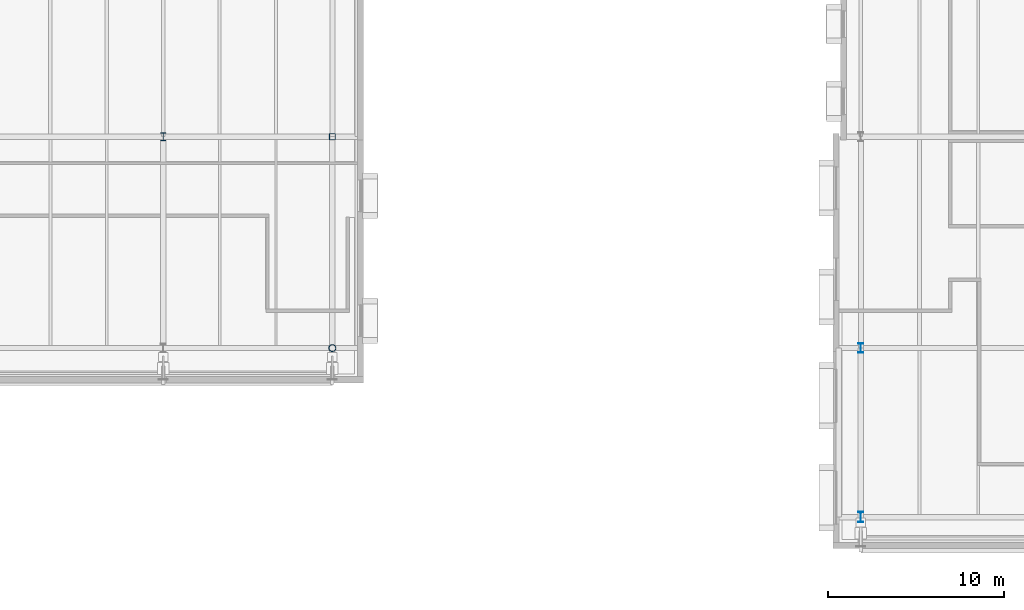
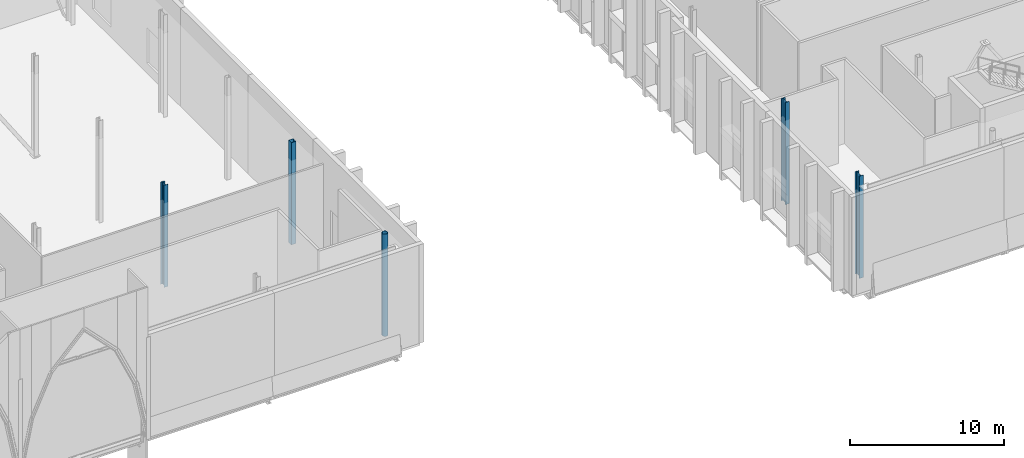
# One storey, part 8 of 79: 5 columns.
"""IFC4 building model written with IfcOpenShell, lengths in metres."""

import ifcopenshell
import ifcopenshell.guid

model = None  # the IFC model being written
_history = None  # IfcOwnerHistory: only IFC2X3 demands one
_inside = {}  # id of a spatial element -> (the spatial element, [elements in it])
_under = {}  # id of a project, library or spatial element -> (it, [spatial elements below it])
_declared = {}  # id of a project -> (the project, [libraries it declares])
_typed = {}  # id of a type object -> (the type object, [elements of that type])
_made_of = {}  # id of a material, layer set ... -> (it, [elements and type objects made of it])


def new_model(schema):
    """Start an empty IFC model of exactly this schema.

    Asked for "IFC4X3", IfcOpenShell would pick the latest addendum, in which some entities
    have other attributes; the version numbers below select the first issue.
    IFC2X3 requires an IfcOwnerHistory on every rooted entity: one is made here for all.
    """
    global model, _history
    if schema == "IFC4X3":
        model = ifcopenshell.file(schema_version=(4, 3, 0, 0))
    else:
        model = ifcopenshell.file(schema=schema)
    _inside.clear()
    _under.clear()
    _declared.clear()
    _typed.clear()
    _made_of.clear()
    _history = None
    if model.schema == "IFC2X3":
        org = make("IfcOrganization", Name="unknown")
        user = make(
            "IfcPersonAndOrganization",
            ThePerson=make("IfcPerson", FamilyName="unknown"),
            TheOrganization=org,
        )
        app = make(
            "IfcApplication",
            ApplicationDeveloper=org,
            Version="unknown",
            ApplicationFullName="unknown",
            ApplicationIdentifier="unknown",
        )
        _history = make(
            "IfcOwnerHistory",
            OwningUser=user,
            OwningApplication=app,
            ChangeAction="ADDED",
            CreationDate=0,
        )
    return model


def make(cls, **values):
    """One entity of the class cls with the attributes given. An attribute that is None is left unset."""
    return model.create_entity(
        cls, **{name: value for name, value in values.items() if value is not None}
    )


def rooted(cls, **values):
    """An entity with a GlobalId (a new one), such as an element, a storey or a relation."""
    return make(cls, GlobalId=ifcopenshell.guid.new(), OwnerHistory=_history, **values)


def si_unit(unit_type, name, prefix=None):
    """IfcSIUnit, for example si_unit("LENGTHUNIT", "METRE", prefix="MILLI")."""
    return make("IfcSIUnit", UnitType=unit_type, Prefix=prefix, Name=name)


def assignment(units):
    """IfcUnitAssignment: the units of a project."""
    return None if units is None else make("IfcUnitAssignment", Units=units)


def point(xyz):
    """IfcCartesianPoint."""
    return None if xyz is None else make("IfcCartesianPoint", Coordinates=xyz)


def direction(xyz):
    """IfcDirection."""
    return None if xyz is None else make("IfcDirection", DirectionRatios=xyz)


def frame(location, z_axis=None, x_axis=None):
    """IfcAxis2Placement3D, a coordinate frame: its origin and axes. An axis left out is left unset."""
    return make(
        "IfcAxis2Placement3D",
        Location=point(location),
        Axis=direction(z_axis),
        RefDirection=direction(x_axis),
    )


def frame_2d(location, x_axis=None):
    """IfcAxis2Placement2D, a coordinate frame in the plane: its origin and x axis."""
    return make(
        "IfcAxis2Placement2D", Location=point(location), RefDirection=direction(x_axis)
    )


def origin():
    """The frame at (0, 0, 0) with its axes left unset."""
    return frame((0.0, 0.0, 0.0))


def origin_2d():
    """The frame at (0, 0) in the plane with its x axis left unset."""
    return frame_2d((0.0, 0.0))


def place(relative_to, where):
    """IfcLocalPlacement: puts the frame where relative to a parent placement (None: the world)."""
    return make(
        "IfcLocalPlacement", PlacementRelTo=relative_to, RelativePlacement=where
    )


def context(
    kind, dimensions, precision=None, world=None, true_north=None, identifier=None
):
    """IfcGeometricRepresentationContext, for example the 3D "Model" context."""
    return make(
        "IfcGeometricRepresentationContext",
        ContextIdentifier=identifier,
        ContextType=kind,
        CoordinateSpaceDimension=dimensions,
        Precision=precision,
        WorldCoordinateSystem=world,
        TrueNorth=true_north,
    )


def subcontext(parent, identifier, kind, view, scale=None):
    """IfcGeometricRepresentationSubContext, for example "Body" below "Model"."""
    return make(
        "IfcGeometricRepresentationSubContext",
        ContextIdentifier=identifier,
        ContextType=kind,
        ParentContext=parent,
        TargetScale=scale,
        TargetView=view,
    )


def project(units=None, contexts=None):
    """IfcProject with its units and contexts."""
    return rooted(
        "IfcProject",
        Name="project",
        RepresentationContexts=contexts,
        UnitsInContext=assignment(units),
    )


def spatial(cls, under=None, at=None, **own):
    """A site, building, storey or space (cls), placed at a placement, below another one or the project."""
    s = rooted(cls, ObjectPlacement=at, **own)
    if under is not None:
        _under.setdefault(under.id(), (under, []))[1].append(s)
    return s


def profile(cls, at=None, kind="AREA", **sizes):
    """A parametric profile (cls). Its sizes go by their IFC names, for example OverallWidth=200.0."""
    return make(cls, ProfileType=kind, Position=at, **sizes)


def hollow_rectangle(**sizes):
    """IfcRectangleHollowProfileDef."""
    return profile("IfcRectangleHollowProfileDef", **sizes)


def hollow_circle(**sizes):
    """IfcCircleHollowProfileDef."""
    return profile("IfcCircleHollowProfileDef", **sizes)


def i_section(**sizes):
    """IfcIShapeProfileDef."""
    return profile("IfcIShapeProfileDef", **sizes)


def extrude(swept, where, along, depth):
    """IfcExtrudedAreaSolid: the profile swept, set in the frame where, extruded along a direction by depth."""
    return make(
        "IfcExtrudedAreaSolid",
        SweptArea=swept,
        Position=where,
        ExtrudedDirection=direction(along),
        Depth=depth,
    )


def shape(context_of_items, identifier, shape_type, items):
    """IfcShapeRepresentation: the items that make up one representation, for example the "Body"."""
    return make(
        "IfcShapeRepresentation",
        ContextOfItems=context_of_items,
        RepresentationIdentifier=identifier,
        RepresentationType=shape_type,
        Items=items,
    )


def material(Name=None, Category=None):
    """IfcMaterial."""
    return make("IfcMaterial", Name=Name, Category=Category)


def material_profile(
    of_material, cross_section, Name=None, Category=None, Priority=None
):
    """IfcMaterialProfile: a cross section and its material."""
    return make(
        "IfcMaterialProfile",
        Name=Name,
        Material=of_material,
        Profile=cross_section,
        Priority=Priority,
        Category=Category,
    )


def profile_set(profiles, Name=None, composite=None):
    """IfcMaterialProfileSet."""
    return make(
        "IfcMaterialProfileSet",
        Name=Name,
        MaterialProfiles=profiles,
        CompositeProfile=composite,
    )


def made_of(thing, what):
    """Note that an element or type object is made of a material, layer set ...; save() writes the relation."""
    if what is not None:
        _made_of.setdefault(what.id(), (what, []))[1].append(thing)
    return thing


def type_object(cls, material=None, **own):
    """A type object (cls), such as IfcWallType, which elements share."""
    return made_of(rooted(cls, **own), material)


def element(
    cls,
    number,
    at=None,
    inside=None,
    cuts=None,
    type_object=None,
    material=None,
    context=None,
    identifier="Body",
    shape_type=None,
    held_by="IfcProductDefinitionShape",
    body=None,
    shapes=None,
    **own,
):
    """One element of the class cls, such as IfcWall. Its Tag is "e" and its number.

    at: its placement. inside: the storey or other place that contains it. cuts: it is an
    opening in that element (IfcRelVoidsElement). A single representation is given by context,
    identifier, shape_type and body (its items); several are given by shapes. held_by: the class
    of the entity that holds the representations. save() writes the other relations.
    """
    e = rooted(cls, Tag="e%d" % number, ObjectPlacement=at, **own)
    if body is not None:
        shapes = [shape(context, identifier, shape_type, body)]
    if shapes is not None:
        e.Representation = make(held_by, Representations=shapes)
    if inside is not None:
        _inside.setdefault(inside.id(), (inside, []))[1].append(e)
    if cuts is not None:
        rooted(
            "IfcRelVoidsElement", RelatingBuildingElement=cuts, RelatedOpeningElement=e
        )
    if type_object is not None:
        _typed.setdefault(type_object.id(), (type_object, []))[1].append(e)
    return made_of(e, material)


def aggregate(whole, parts):
    """IfcRelAggregates: a whole, such as a stair, and the parts it consists of."""
    return rooted("IfcRelAggregates", RelatingObject=whole, RelatedObjects=parts)


def save(model, path):
    """Write the relations noted so far, then the file.

    IfcRelAggregates (storeys below a building ...), IfcRelContainedInSpatialStructure (elements
    in a storey), IfcRelDefinesByType, IfcRelAssociatesMaterial and IfcRelDeclares: one each for
    every whole, place, type object, material and project.
    """
    for whole, parts in _under.values():
        aggregate(whole, parts)
    for where, things in _inside.values():
        rooted(
            "IfcRelContainedInSpatialStructure",
            RelatedElements=things,
            RelatingStructure=where,
        )
    for kind, things in _typed.values():
        rooted("IfcRelDefinesByType", RelatedObjects=things, RelatingType=kind)
    for what, things in _made_of.values():
        rooted("IfcRelAssociatesMaterial", RelatedObjects=things, RelatingMaterial=what)
    for by, libraries in _declared.values():
        rooted("IfcRelDeclares", RelatingContext=by, RelatedDefinitions=libraries)
    model.write(path)


model = new_model("IFC4")

# Units and contexts
model_context = context("Model", 3, precision=1e-05, world=origin(), true_north=direction((0.0, 1.0)))
body_context = subcontext(model_context, "Body", "Model", "MODEL_VIEW")
ifc_project = project(units=[si_unit("LENGTHUNIT", "METRE"), si_unit("AREAUNIT", "SQUARE_METRE"), si_unit("VOLUMEUNIT", "CUBIC_METRE"), si_unit("PLANEANGLEUNIT", "RADIAN"), si_unit("MASSUNIT", "GRAM", prefix="KILO")], contexts=[model_context])

# Site, building, storey
site_placement = place(None, origin())
site = spatial("IfcSite", under=ifc_project, at=site_placement, CompositionType="ELEMENT")
building_placement = place(site_placement, origin())
building = spatial("IfcBuilding", under=site, at=building_placement, Name="Zereglee Splitstone Museum", CompositionType="ELEMENT")
storey_placement = place(building_placement, frame((0.0, 0.0, 9.0)))
storey = spatial("IfcBuildingStorey", under=building, at=storey_placement, Name="L02", CompositionType="ELEMENT", Elevation=9.0)

# Columns
ifc_material_1 = material(Name="Steel S355J2H", Category="steel")
ifc_material_profile_1 = material_profile(ifc_material_1, hollow_circle(Radius=0.203125, WallThickness=0.02001953125, at=origin_2d()), Name="CHS 406.4x20")
ifc_profile_set_1 = profile_set([ifc_material_profile_1], Name="Steel S355J2H")
column_type_1 = type_object("IfcColumnType", Name="C-18", PredefinedType="COLUMN", material=ifc_profile_set_1)
column_1_placement = place(storey_placement, frame((145.199951171875, 9.60009765625, 0.0), z_axis=(0.0, 0.0, 1.0), x_axis=(1.0, 0.0, 0.0)))
element("IfcColumn", 1, at=column_1_placement, inside=storey, type_object=column_type_1, Name="Column 17/B L02", PredefinedType="COLUMN", context=body_context, shape_type="SweptSolid", body=[
    extrude(hollow_circle(Radius=0.203125, WallThickness=0.02001953125, at=origin_2d()), origin(), (0.0, 0.0, 1.0), 8.10009765625),
])
ifc_material_2 = material(Name="Steel S355J2", Category="steel")
ifc_material_profile_2 = material_profile(ifc_material_2, i_section(OverallWidth=0.300048828125, OverallDepth=0.449951171875, WebThickness=0.013916015625, FlangeThickness=0.02587890625, FilletRadius=0.027099609375, at=origin_2d()), Name="HE 450 B")
ifc_profile_set_2 = profile_set([ifc_material_profile_2], Name="Steel S355J2")
column_type_2 = type_object("IfcColumnType", Name="C-14", PredefinedType="COLUMN", material=ifc_profile_set_2)
column_2_placement = place(storey_placement, frame((135.60009765625, 21.60009765625, 0.0), z_axis=(0.0, 0.0, 1.0), x_axis=(1.0, 0.0, 0.0)))
element("IfcColumn", 2, at=column_2_placement, inside=storey, type_object=column_type_2, Name="Column 16/C L02", PredefinedType="COLUMN", context=body_context, shape_type="SweptSolid", body=[
    extrude(i_section(OverallWidth=0.300048828125, OverallDepth=0.449951171875, WebThickness=0.013916015625, FlangeThickness=0.02587890625, FilletRadius=0.027099609375, at=origin_2d()), origin(), (0.0, 0.0, 1.0), 8.10009765625),
])
ifc_material_profile_3 = material_profile(ifc_material_2, i_section(OverallWidth=0.300048828125, OverallDepth=0.550048828125, WebThickness=0.014892578125, FlangeThickness=0.029052734375, FilletRadius=0.027099609375, at=origin_2d()), Name="HE 550 B")
ifc_profile_set_3 = profile_set([ifc_material_profile_3], Name="Steel S355J2")
column_type_3 = type_object("IfcColumnType", Name="C-12", PredefinedType="COLUMN", material=ifc_profile_set_3)
column_3_placement = place(storey_placement, frame((175.199951171875, 9.60009765625, 0.0), z_axis=(0.0, 0.0, 1.0), x_axis=(1.0, 0.0, 0.0)))
element("IfcColumn", 3, at=column_3_placement, inside=storey, type_object=column_type_3, Name="Column 20/B L02", PredefinedType="COLUMN", context=body_context, shape_type="SweptSolid", body=[
    extrude(i_section(OverallWidth=0.300048828125, OverallDepth=0.550048828125, WebThickness=0.014892578125, FlangeThickness=0.029052734375, FilletRadius=0.027099609375, at=origin_2d()), origin(), (0.0, 0.0, 1.0), 8.10009765625),
])
ifc_material_profile_4 = material_profile(ifc_material_2, i_section(OverallWidth=0.300048828125, OverallDepth=0.60009765625, WebThickness=0.015380859375, FlangeThickness=0.030029296875, FilletRadius=0.027099609375, at=origin_2d()), Name="HE 600 B")
ifc_profile_set_4 = profile_set([ifc_material_profile_4], Name="Steel S355J2")
column_type_4 = type_object("IfcColumnType", Name="C-11", PredefinedType="COLUMN", material=ifc_profile_set_4)
column_4_placement = place(storey_placement, frame((175.199951171875, 0.0, 0.0), z_axis=(0.0, 0.0, 1.0), x_axis=(1.0, 0.0, 0.0)))
element("IfcColumn", 4, at=column_4_placement, inside=storey, type_object=column_type_4, Name="Column 20/A L02", PredefinedType="COLUMN", context=body_context, shape_type="SweptSolid", body=[
    extrude(i_section(OverallWidth=0.300048828125, OverallDepth=0.60009765625, WebThickness=0.015380859375, FlangeThickness=0.030029296875, FilletRadius=0.027099609375, at=origin_2d()), origin(), (0.0, 0.0, 1.0), 8.10009765625),
])
ifc_material_profile_5 = material_profile(ifc_material_1, hollow_rectangle(XDim=0.35009765625, YDim=0.35009765625, WallThickness=0.01611328125, at=origin_2d()), Name="SHS 350x350x16")
ifc_profile_set_5 = profile_set([ifc_material_profile_5], Name="Steel S355J2H")
column_type_5 = type_object("IfcColumnType", Name="C-19", PredefinedType="COLUMN", material=ifc_profile_set_5)
column_5_placement = place(storey_placement, frame((145.199951171875, 21.60009765625, 0.0), z_axis=(0.0, 0.0, 1.0), x_axis=(1.0, 0.0, 0.0)))
element("IfcColumn", 5, at=column_5_placement, inside=storey, type_object=column_type_5, Name="Column 17/C L02", PredefinedType="COLUMN", context=body_context, shape_type="SweptSolid", body=[
    extrude(hollow_rectangle(XDim=0.35009765625, YDim=0.35009765625, WallThickness=0.01611328125, at=origin_2d()), origin(), (0.0, 0.0, 1.0), 8.10009765625),
])

save(model, "model.ifc")
